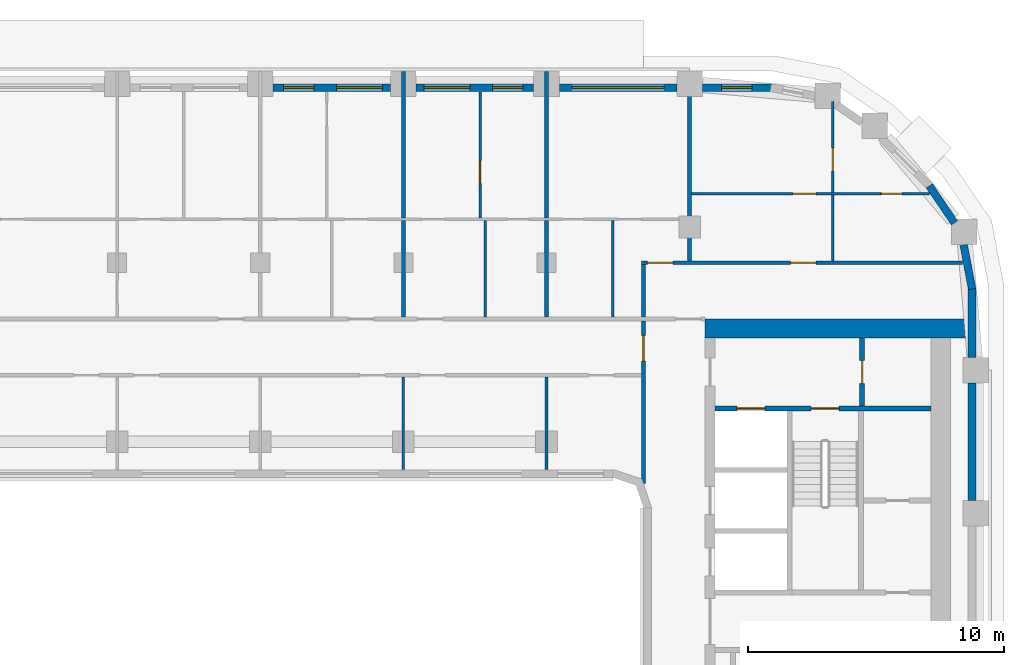
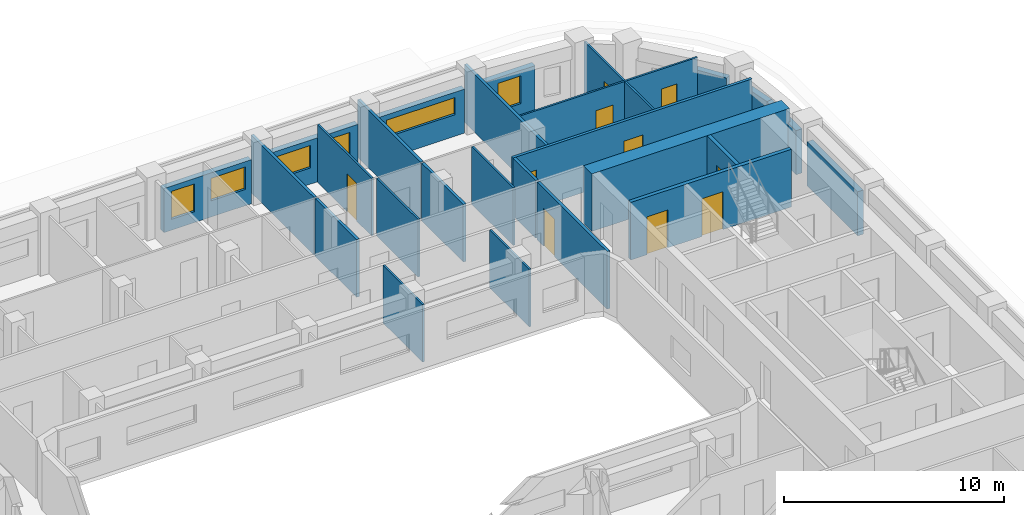
# One storey, part 9 of 22: 27 walls, 10 doors, 6 windows, 16 openings.
"""IFC4 building model written with IfcOpenShell, lengths in metres."""

from ifc_helpers import new_model, si_unit, direction, frame, frame_2d, origin, place, context, subcontext, project, spatial, rectangle, extrude, material, layer, layer_set, type_object, element, fill, save


model = new_model("IFC4")

# Units and contexts
model_context = context("Model", 3, precision=1e-05, world=origin(), true_north=direction((0.0, 1.0)))
body_context = subcontext(model_context, "Body", "Model", "MODEL_VIEW")
ifc_project = project(units=[si_unit("LENGTHUNIT", "METRE"), si_unit("AREAUNIT", "SQUARE_METRE"), si_unit("VOLUMEUNIT", "CUBIC_METRE"), si_unit("PLANEANGLEUNIT", "RADIAN"), si_unit("MASSUNIT", "GRAM", prefix="KILO")], contexts=[model_context])

# Site, building, storey
site_placement = place(None, origin())
site = spatial("IfcSite", under=ifc_project, at=site_placement, CompositionType="ELEMENT")
building_placement = place(site_placement, origin())
building = spatial("IfcBuilding", under=site, at=building_placement, Name="Kiln Ring Residences", CompositionType="ELEMENT")
storey_placement = place(building_placement, frame((0.0, 0.0, 164.10009765625)))
storey = spatial("IfcBuildingStorey", under=building, at=storey_placement, Name="L42", CompositionType="ELEMENT", Elevation=164.10009765625)

# Wall, opening, door
ifc_material_1 = material(Name="Gypsum board on steel studs", Category="steel")
ifc_layer_1 = layer(ifc_material_1, 0.199951171875)
ifc_layer_set_1 = layer_set([ifc_layer_1], Name="CORE-PARTITION-200")
wall_type_1 = type_object("IfcWallType", Name="CORE-PARTITION-200", PredefinedType="PARTITIONING", material=ifc_layer_set_1)
wall_1_placement = place(storey_placement, frame((23.550048828125, 9.800048828125, 0.0), z_axis=(0.0, 0.0, 1.0), x_axis=(0.0, 1.0, 0.0)))
wall_1 = element("IfcWall", 1, at=wall_1_placement, inside=storey, type_object=wall_type_1, Name="Core partition east L42 4", PredefinedType="PARTITIONING", context=body_context, shape_type="SweptSolid", body=[
    extrude(rectangle(XDim=2.64990234375, YDim=0.199951171875, at=frame_2d((1.324951171875, 0.0))), origin(), (0.0, 0.0, 1.0), 3.199951171875),
])
opening_1_placement = place(wall_1_placement, frame((0.875, 0.0, 0.0)))
opening_1 = element("IfcOpeningElement", 2, at=opening_1_placement, cuts=wall_1, Name="Opening L42-CE09", PredefinedType="OPENING", context=body_context, shape_type="SweptSolid", body=[
    extrude(rectangle(XDim=0.89990234375, YDim=2.10009765625, at=frame_2d((0.449951171875, 1.050048828125))), frame((0.0, 0.10986328125, 0.0), z_axis=(0.0, -1.0, 0.0), x_axis=(1.0, 0.0, 0.0)), (0.0, 0.0, 1.0), 0.219970703125),
])
ifc_material_2 = material(Name="Steel door leaf", Category="steel")
door_type_1 = type_object("IfcDoorType", Name="CORE-DOOR-ROOM", OperationType="SINGLE_SWING_LEFT", PredefinedType="DOOR", material=ifc_material_2)
door_1_placement = place(opening_1_placement, origin())
door_1 = element("IfcDoor", 3, at=door_1_placement, inside=storey, type_object=door_type_1, Name="Fire riser room L42-CE09", OperationType="SINGLE_SWING_RIGHT", OverallHeight=2.10009765625, OverallWidth=0.89990234375, PredefinedType="DOOR", context=body_context, shape_type="SweptSolid", body=[
    extrude(rectangle(XDim=0.89990234375, YDim=2.10009765625, at=frame_2d((0.449951171875, 1.050048828125))), frame((0.0, 0.02490234375, 0.0), z_axis=(0.0, -1.0, 0.0), x_axis=(1.0, 0.0, 0.0)), (0.0, 0.0, 1.0), 0.050048828125),
])
fill(opening_1, door_1)

# Wall, openings, doors
ifc_material_3 = material(Name="Concrete C40/50", Category="concrete")
ifc_layer_2 = layer(ifc_material_3, 0.199951171875)
ifc_layer_set_2 = layer_set([ifc_layer_2], Name="CORE-WALL-RC200")
wall_type_2 = type_object("IfcWallType", Name="CORE-WALL-RC200", PredefinedType="SHEAR", material=ifc_layer_set_2)
wall_2_placement = place(storey_placement, frame((17.800048828125, 9.699951171875, 0.0), z_axis=(0.0, 0.0, 1.0), x_axis=(1.0, 0.0, 0.0)))
wall_2 = element("IfcWall", 4, at=wall_2_placement, inside=storey, type_object=wall_type_2, Name="Core wall east L42 9", PredefinedType="SHEAR", context=body_context, shape_type="SweptSolid", body=[
    extrude(rectangle(XDim=8.449951171875, YDim=0.199951171875, at=frame_2d((4.22509765625, 0.0))), origin(), (0.0, 0.0, 1.0), 3.199951171875),
])
opening_2_placement = place(wall_2_placement, frame((0.85009765625, 0.0, 0.0)))
opening_2 = element("IfcOpeningElement", 5, at=opening_2_placement, cuts=wall_2, Name="Opening L42-CE06", PredefinedType="OPENING", context=body_context, shape_type="SweptSolid", body=[
    extrude(rectangle(XDim=1.10009765625, YDim=2.10009765625, at=frame_2d((0.550048828125, 1.050048828125))), frame((0.0, 0.10986328125, 0.0), z_axis=(0.0, -1.0, 0.0), x_axis=(1.0, 0.0, 0.0)), (0.0, 0.0, 1.0), 0.219970703125),
])
opening_3_placement = place(wall_2_placement, frame((3.75, 0.0, 0.0)))
opening_3 = element("IfcOpeningElement", 6, at=opening_3_placement, cuts=wall_2, Name="Opening L42-CE11", PredefinedType="OPENING", context=body_context, shape_type="SweptSolid", body=[
    extrude(rectangle(XDim=1.10009765625, YDim=2.10009765625, at=frame_2d((0.550048828125, 1.050048828125))), frame((0.0, 0.10986328125, 0.0), z_axis=(0.0, -1.0, 0.0), x_axis=(1.0, 0.0, 0.0)), (0.0, 0.0, 1.0), 0.219970703125),
])
ifc_material_4 = material(Name="Steel door leaf", Category="steel")
door_type_2 = type_object("IfcDoorType", Name="CORE-DOOR-LD", OperationType="DOUBLE_DOOR_SLIDING", PredefinedType="DOOR", material=ifc_material_4)
door_2_placement = place(opening_2_placement, origin())
door_2 = element("IfcDoor", 7, at=door_2_placement, inside=storey, type_object=door_type_2, Name="LD E-FF L42-CE06", OperationType="DOUBLE_DOOR_SLIDING", OverallHeight=2.10009765625, OverallWidth=1.10009765625, PredefinedType="DOOR", context=body_context, shape_type="SweptSolid", body=[
    extrude(rectangle(XDim=1.10009765625, YDim=2.10009765625, at=frame_2d((0.550048828125, 1.050048828125))), frame((0.0, 0.02490234375, 0.0), z_axis=(0.0, -1.0, 0.0), x_axis=(1.0, 0.0, 0.0)), (0.0, 0.0, 1.0), 0.050048828125),
])
fill(opening_2, door_2)
ifc_material_5 = material(Name="Steel door leaf", Category="steel")
door_type_3 = type_object("IfcDoorType", Name="CORE-DOOR-STAIR", OperationType="SINGLE_SWING_LEFT", PredefinedType="DOOR", material=ifc_material_5)
door_3_placement = place(opening_3_placement, origin())
door_3 = element("IfcDoor", 8, at=door_3_placement, inside=storey, type_object=door_type_3, Name="Stair E-STN L42-CE11", OperationType="SINGLE_SWING_RIGHT", OverallHeight=2.10009765625, OverallWidth=1.10009765625, PredefinedType="DOOR", context=body_context, shape_type="SweptSolid", body=[
    extrude(rectangle(XDim=1.10009765625, YDim=2.10009765625, at=frame_2d((0.550048828125, 1.050048828125))), frame((0.0, 0.02490234375, 0.0), z_axis=(0.0, -1.0, 0.0), x_axis=(1.0, 0.0, 0.0)), (0.0, 0.0, 1.0), 0.050048828125),
])
fill(opening_3, door_3)

# Walls
ifc_material_6 = material(Name="Concrete C60/75", Category="concrete")
ifc_layer_3 = layer(ifc_material_6, 0.75)
ifc_layer_set_3 = layer_set([ifc_layer_3], Name="CORE-WALL-RC750")
wall_type_3 = type_object("IfcWallType", Name="CORE-WALL-RC750", PredefinedType="SHEAR", material=ifc_layer_set_3)
wall_3_placement = place(storey_placement, frame((17.39990234375, 12.824951171875, 0.0), z_axis=(0.0, 0.0, 1.0), x_axis=(1.0, 0.0, 0.0)))
element("IfcWall", 9, at=wall_3_placement, inside=storey, type_object=wall_type_3, Name="Core wall east L42 4", PredefinedType="SHEAR", context=body_context, shape_type="SweptSolid", body=[
    extrude(rectangle(XDim=10.400146484375, YDim=0.75, at=frame_2d((5.2001953125, 0.0))), origin(), (0.0, 0.0, 1.0), 3.199951171875),
])
ifc_material_7 = material(Name="Brick masonry, dark clay brick", Category="masonry")
ifc_layer_4 = layer(ifc_material_7, 0.300048828125)
ifc_layer_set_4 = layer_set([ifc_layer_4], Name="EW-300 BRICK WALL")
wall_type_4 = type_object("IfcWallType", Name="EW-300 BRICK WALL", PredefinedType="SOLIDWALL", material=ifc_layer_set_4)
wall_4_placement = place(storey_placement, frame((27.85009765625, 6.10009765625, 0.0), z_axis=(0.0, 0.0, 1.0), x_axis=(0.0, 1.0, 0.0)))
element("IfcWall", 10, at=wall_4_placement, inside=storey, type_object=wall_type_4, Name="Facade wall L42 21", PredefinedType="SOLIDWALL", context=body_context, shape_type="SweptSolid", body=[
    extrude(rectangle(XDim=4.599853515625, YDim=0.300048828125, at=frame_2d((2.2998046875, 0.0))), origin(), (0.0, 0.0, 1.0), 2.449951171875),
])
wall_5_placement = place(storey_placement, frame((27.85009765625, 11.699951171875, 0.0), z_axis=(0.0, 0.0, 1.0), x_axis=(0.0, 1.0, 0.0)))
element("IfcWall", 11, at=wall_5_placement, inside=storey, type_object=wall_type_4, Name="Facade wall L42 22", PredefinedType="SOLIDWALL", context=body_context, shape_type="SweptSolid", body=[
    extrude(rectangle(XDim=2.699951171875, YDim=0.300048828125, at=frame_2d((1.35009765625, 0.0))), origin(), (0.0, 0.0, 1.0), 2.449951171875),
])
for number, where, z_axis, x_axis, name in (
    (12, (27.8525390625, 14.371826171875, 0.0), (0.0, 0.0, 1.0), (-0.187259034321, 0.982310569049, 0.0), "Facade wall L42 23"),
    (13, (27.166015625, 16.96044921875, 0.0), (0.0, 0.0, 1.0), (-0.562089443061, 0.82707645233, 0.0), "Facade wall L42 24"),
):
    element("IfcWall", number, at=place(storey_placement, frame(where, z_axis=z_axis, x_axis=x_axis)), inside=storey, type_object=wall_type_4, Name=name, PredefinedType="SOLIDWALL", context=body_context, shape_type="SweptSolid", body=[
        extrude(rectangle(XDim=1.756103515625, YDim=0.300048828125, at=frame_2d((0.8779296875, 0.0))), origin(), (0.0, 0.0, 1.0), 2.449951171875),
    ])

# Wall, opening, window
wall_6_placement = place(storey_placement, frame((20.0, 22.25, 0.0), z_axis=(0.0, 0.0, 1.0), x_axis=(-1.0, 0.0, 0.0)))
wall_6 = element("IfcWall", 14, at=wall_6_placement, inside=storey, type_object=wall_type_4, Name="Facade wall L42 28", PredefinedType="SOLIDWALL", context=body_context, shape_type="SweptSolid", body=[
    extrude(rectangle(XDim=2.699951171875, YDim=0.300048828125, at=frame_2d((1.35009765625, 0.0))), origin(), (0.0, 0.0, 1.0), 2.449951171875),
])
opening_4_placement = place(wall_6_placement, frame((0.75, 0.0, 0.60009765625)))
opening_4 = element("IfcOpeningElement", 15, at=opening_4_placement, cuts=wall_6, Name="Opening W1", PredefinedType="OPENING", context=body_context, shape_type="SweptSolid", body=[
    extrude(rectangle(XDim=1.199951171875, YDim=1.550048828125, at=frame_2d((0.60009765625, 0.77490234375))), frame((0.0, 0.159912109375, 0.0), z_axis=(0.0, -1.0, 0.0), x_axis=(1.0, 0.0, 0.0)), (0.0, 0.0, 1.0), 0.320068359375),
])
ifc_material_8 = material(Name="Aluminium frame with double glazing", Category="aluminium")
window_type_1 = type_object("IfcWindowType", Name="WINDOW 1200 x 1550", PartitioningType="SINGLE_PANEL", PredefinedType="WINDOW", material=ifc_material_8)
window_1_placement = place(opening_4_placement, origin())
window_1 = element("IfcWindow", 16, at=window_1_placement, inside=storey, type_object=window_type_1, Name="Window L42 18", OverallHeight=1.550048828125, OverallWidth=1.199951171875, PartitioningType="SINGLE_PANEL", PredefinedType="WINDOW", context=body_context, shape_type="SweptSolid", body=[
    extrude(rectangle(XDim=1.199951171875, YDim=1.550048828125, at=frame_2d((0.60009765625, 0.77490234375))), frame((0.0, 0.030029296875, 0.0), z_axis=(0.0, -1.0, 0.0), x_axis=(1.0, 0.0, 0.0)), (0.0, 0.0, 1.0), 0.06005859375),
])
fill(opening_4, window_1)

wall_7_placement = place(storey_placement, frame((16.300048828125, 22.25, 0.0), z_axis=(0.0, 0.0, 1.0), x_axis=(-1.0, 0.0, 0.0)))
wall_7 = element("IfcWall", 17, at=wall_7_placement, inside=storey, type_object=wall_type_4, Name="Facade wall L42 29", PredefinedType="SOLIDWALL", context=body_context, shape_type="SweptSolid", body=[
    extrude(rectangle(XDim=4.60009765625, YDim=0.300048828125, at=frame_2d((2.300048828125, 0.0))), origin(), (0.0, 0.0, 1.0), 2.449951171875),
])
opening_5_placement = place(wall_7_placement, frame((0.5, 0.0, 1.199951171875)))
opening_5 = element("IfcOpeningElement", 18, at=opening_5_placement, cuts=wall_7, Name="Opening W4", PredefinedType="OPENING", context=body_context, shape_type="SweptSolid", body=[
    extrude(rectangle(XDim=3.60009765625, YDim=0.949951171875, at=frame_2d((1.800048828125, 0.47509765625))), frame((0.0, 0.159912109375, 0.0), z_axis=(0.0, -1.0, 0.0), x_axis=(1.0, 0.0, 0.0)), (0.0, 0.0, 1.0), 0.320068359375),
])
ifc_material_9 = material(Name="Aluminium frame with double glazing", Category="aluminium")
window_type_2 = type_object("IfcWindowType", Name="WINDOW 3600 x 950", PartitioningType="SINGLE_PANEL", PredefinedType="WINDOW", material=ifc_material_9)
window_2_placement = place(opening_5_placement, origin())
window_2 = element("IfcWindow", 19, at=window_2_placement, inside=storey, type_object=window_type_2, Name="Window L42 19", OverallHeight=0.949951171875, OverallWidth=3.60009765625, PartitioningType="SINGLE_PANEL", PredefinedType="WINDOW", context=body_context, shape_type="SweptSolid", body=[
    extrude(rectangle(XDim=3.60009765625, YDim=0.949951171875, at=frame_2d((1.800048828125, 0.47509765625))), frame((0.0, 0.030029296875, 0.0), z_axis=(0.0, -1.0, 0.0), x_axis=(1.0, 0.0, 0.0)), (0.0, 0.0, 1.0), 0.06005859375),
])
fill(opening_5, window_2)

# Wall, openings, windows
wall_8_placement = place(storey_placement, frame((10.699951171875, 22.25, 0.0), z_axis=(0.0, 0.0, 1.0), x_axis=(-1.0, 0.0, 0.0)))
wall_8 = element("IfcWall", 20, at=wall_8_placement, inside=storey, type_object=wall_type_4, Name="Facade wall L42 30", PredefinedType="SOLIDWALL", context=body_context, shape_type="SweptSolid", body=[
    extrude(rectangle(XDim=4.599853515625, YDim=0.300048828125, at=frame_2d((2.2998046875, 0.0))), origin(), (0.0, 0.0, 1.0), 2.449951171875),
])
opening_6_placement = place(wall_8_placement, frame((0.41259765625, 0.0, 0.60009765625)))
opening_6 = element("IfcOpeningElement", 21, at=opening_6_placement, cuts=wall_8, Name="Opening W1", PredefinedType="OPENING", context=body_context, shape_type="SweptSolid", body=[
    extrude(rectangle(XDim=1.199951171875, YDim=1.550048828125, at=frame_2d((0.60009765625, 0.77490234375))), frame((0.0, 0.159912109375, 0.0), z_axis=(0.0, -1.0, 0.0), x_axis=(1.0, 0.0, 0.0)), (0.0, 0.0, 1.0), 0.320068359375),
])
opening_7_placement = place(wall_8_placement, frame((2.487548828125, 0.0, 0.89990234375)))
opening_7 = element("IfcOpeningElement", 22, at=opening_7_placement, cuts=wall_8, Name="Opening W2", PredefinedType="OPENING", context=body_context, shape_type="SweptSolid", body=[
    extrude(rectangle(XDim=1.800048828125, YDim=1.25, at=frame_2d((0.89990234375, 0.625))), frame((0.0, 0.159912109375, 0.0), z_axis=(0.0, -1.0, 0.0), x_axis=(1.0, 0.0, 0.0)), (0.0, 0.0, 1.0), 0.320068359375),
])
window_3_placement = place(opening_6_placement, origin())
window_3 = element("IfcWindow", 23, at=window_3_placement, inside=storey, type_object=window_type_1, Name="Window L42 20", OverallHeight=1.550048828125, OverallWidth=1.199951171875, PartitioningType="SINGLE_PANEL", PredefinedType="WINDOW", context=body_context, shape_type="SweptSolid", body=[
    extrude(rectangle(XDim=1.199951171875, YDim=1.550048828125, at=frame_2d((0.60009765625, 0.77490234375))), frame((0.0, 0.030029296875, 0.0), z_axis=(0.0, -1.0, 0.0), x_axis=(1.0, 0.0, 0.0)), (0.0, 0.0, 1.0), 0.06005859375),
])
fill(opening_6, window_3)
ifc_material_10 = material(Name="Aluminium frame with double glazing", Category="aluminium")
window_type_3 = type_object("IfcWindowType", Name="WINDOW 1800 x 1250", PartitioningType="SINGLE_PANEL", PredefinedType="WINDOW", material=ifc_material_10)
window_4_placement = place(opening_7_placement, origin())
window_4 = element("IfcWindow", 24, at=window_4_placement, inside=storey, type_object=window_type_3, Name="Window L42 21", OverallHeight=1.25, OverallWidth=1.800048828125, PartitioningType="SINGLE_PANEL", PredefinedType="WINDOW", context=body_context, shape_type="SweptSolid", body=[
    extrude(rectangle(XDim=1.800048828125, YDim=1.25, at=frame_2d((0.89990234375, 0.625))), frame((0.0, 0.030029296875, 0.0), z_axis=(0.0, -1.0, 0.0), x_axis=(1.0, 0.0, 0.0)), (0.0, 0.0, 1.0), 0.06005859375),
])
fill(opening_7, window_4)

wall_9_placement = place(storey_placement, frame((5.10009765625, 22.25, 0.0), z_axis=(0.0, 0.0, 1.0), x_axis=(-1.0, 0.0, 0.0)))
wall_9 = element("IfcWall", 25, at=wall_9_placement, inside=storey, type_object=wall_type_4, Name="Facade wall L42 31", PredefinedType="SOLIDWALL", context=body_context, shape_type="SweptSolid", body=[
    extrude(rectangle(XDim=4.60009765625, YDim=0.300048828125, at=frame_2d((2.300048828125, 0.0))), origin(), (0.0, 0.0, 1.0), 2.449951171875),
])
opening_8_placement = place(wall_9_placement, frame((0.3125, 0.0, 0.89990234375)))
opening_8 = element("IfcOpeningElement", 26, at=opening_8_placement, cuts=wall_9, Name="Opening W2", PredefinedType="OPENING", context=body_context, shape_type="SweptSolid", body=[
    extrude(rectangle(XDim=1.800048828125, YDim=1.25, at=frame_2d((0.89990234375, 0.625))), frame((0.0, 0.159912109375, 0.0), z_axis=(0.0, -1.0, 0.0), x_axis=(1.0, 0.0, 0.0)), (0.0, 0.0, 1.0), 0.320068359375),
])
opening_9_placement = place(wall_9_placement, frame((2.987548828125, 0.0, 0.60009765625)))
opening_9 = element("IfcOpeningElement", 27, at=opening_9_placement, cuts=wall_9, Name="Opening W1", PredefinedType="OPENING", context=body_context, shape_type="SweptSolid", body=[
    extrude(rectangle(XDim=1.199951171875, YDim=1.550048828125, at=frame_2d((0.60009765625, 0.77490234375))), frame((0.0, 0.159912109375, 0.0), z_axis=(0.0, -1.0, 0.0), x_axis=(1.0, 0.0, 0.0)), (0.0, 0.0, 1.0), 0.320068359375),
])
window_5_placement = place(opening_9_placement, origin())
window_5 = element("IfcWindow", 28, at=window_5_placement, inside=storey, type_object=window_type_1, Name="Window L42 23", OverallHeight=1.550048828125, OverallWidth=1.199951171875, PartitioningType="SINGLE_PANEL", PredefinedType="WINDOW", context=body_context, shape_type="SweptSolid", body=[
    extrude(rectangle(XDim=1.199951171875, YDim=1.550048828125, at=frame_2d((0.60009765625, 0.77490234375))), frame((0.0, 0.030029296875, 0.0), z_axis=(0.0, -1.0, 0.0), x_axis=(1.0, 0.0, 0.0)), (0.0, 0.0, 1.0), 0.06005859375),
])
fill(opening_9, window_5)
window_6_placement = place(opening_8_placement, origin())
window_6 = element("IfcWindow", 29, at=window_6_placement, inside=storey, type_object=window_type_3, Name="Window L42 22", OverallHeight=1.25, OverallWidth=1.800048828125, PartitioningType="SINGLE_PANEL", PredefinedType="WINDOW", context=body_context, shape_type="SweptSolid", body=[
    extrude(rectangle(XDim=1.800048828125, YDim=1.25, at=frame_2d((0.89990234375, 0.625))), frame((0.0, 0.030029296875, 0.0), z_axis=(0.0, -1.0, 0.0), x_axis=(1.0, 0.0, 0.0)), (0.0, 0.0, 1.0), 0.06005859375),
])
fill(opening_8, window_6)

# Wall, openings, doors
ifc_material_11 = material(Name="Gypsum board on steel studs", Category="steel")
ifc_layer_5 = layer(ifc_material_11, 0.10009765625)
ifc_layer_set_5 = layer_set([ifc_layer_5], Name="PARTITION-100")
wall_type_5 = type_object("IfcWallType", Name="PARTITION-100", PredefinedType="PARTITIONING", material=ifc_layer_set_5)
wall_10_placement = place(storey_placement, frame((16.875, 18.10009765625, 0.0), z_axis=(0.0, 0.0, 1.0), x_axis=(1.0, 0.0, 0.0)))
wall_10 = element("IfcWall", 30, at=wall_10_placement, inside=storey, type_object=wall_type_5, Name="Partition 013", PredefinedType="PARTITIONING", context=body_context, shape_type="SweptSolid", body=[
    extrude(rectangle(XDim=9.315185546875, YDim=0.10009765625, at=frame_2d((4.65771484375, 0.0))), origin(), (0.0, 0.0, 1.0), 3.199951171875),
])
opening_10_placement = place(wall_10_placement, frame((7.425048828125, 0.0, 0.0)))
opening_10 = element("IfcOpeningElement", 31, at=opening_10_placement, cuts=wall_10, Name="Opening L42-D034", PredefinedType="OPENING", context=body_context, shape_type="SweptSolid", body=[
    extrude(rectangle(XDim=0.800048828125, YDim=2.10009765625, at=frame_2d((0.39990234375, 1.050048828125))), frame((0.0, 0.06005859375, 0.0), z_axis=(0.0, -1.0, 0.0), x_axis=(1.0, 0.0, 0.0)), (0.0, 0.0, 1.0), 0.1201171875),
])
opening_11_placement = place(wall_10_placement, frame((3.97509765625, 0.0, 0.0)))
opening_11 = element("IfcOpeningElement", 32, at=opening_11_placement, cuts=wall_10, Name="Opening L42-D035", PredefinedType="OPENING", context=body_context, shape_type="SweptSolid", body=[
    extrude(rectangle(XDim=0.89990234375, YDim=2.10009765625, at=frame_2d((0.449951171875, 1.050048828125))), frame((0.0, 0.06005859375, 0.0), z_axis=(0.0, -1.0, 0.0), x_axis=(1.0, 0.0, 0.0)), (0.0, 0.0, 1.0), 0.1201171875),
])
ifc_material_12 = material(Name="Timber door leaf", Category="wood")
door_type_4 = type_object("IfcDoorType", Name="FLAT-DOOR-800-PL", OperationType="SINGLE_SWING_LEFT", PredefinedType="DOOR", material=ifc_material_12)
door_4_placement = place(opening_10_placement, origin())
door_4 = element("IfcDoor", 33, at=door_4_placement, inside=storey, type_object=door_type_4, Name="Door L42-D034", OperationType="SINGLE_SWING_RIGHT", OverallHeight=2.10009765625, OverallWidth=0.800048828125, PredefinedType="DOOR", context=body_context, shape_type="SweptSolid", body=[
    extrude(rectangle(XDim=0.800048828125, YDim=2.10009765625, at=frame_2d((0.39990234375, 1.050048828125))), frame((0.0, 0.02490234375, 0.0), z_axis=(0.0, -1.0, 0.0), x_axis=(1.0, 0.0, 0.0)), (0.0, 0.0, 1.0), 0.050048828125),
])
fill(opening_10, door_4)
ifc_material_13 = material(Name="Timber door leaf", Category="wood")
door_type_5 = type_object("IfcDoorType", Name="FLAT-DOOR-900-PL", OperationType="SINGLE_SWING_LEFT", PredefinedType="DOOR", material=ifc_material_13)
door_5_placement = place(opening_11_placement, origin())
door_5 = element("IfcDoor", 34, at=door_5_placement, inside=storey, type_object=door_type_5, Name="Door L42-D035", OperationType="SINGLE_SWING_LEFT", OverallHeight=2.10009765625, OverallWidth=0.89990234375, PredefinedType="DOOR", context=body_context, shape_type="SweptSolid", body=[
    extrude(rectangle(XDim=0.89990234375, YDim=2.10009765625, at=frame_2d((0.449951171875, 1.050048828125))), frame((0.0, 0.02490234375, 0.0), z_axis=(0.0, -1.0, 0.0), x_axis=(1.0, 0.0, 0.0)), (0.0, 0.0, 1.0), 0.050048828125),
])
fill(opening_11, door_5)

# Wall
wall_11_placement = place(storey_placement, frame((5.60009765625, 7.320068359375, 0.0), z_axis=(0.0, 0.0, 1.0), x_axis=(0.0, 1.0, 0.0)))
element("IfcWall", 35, at=wall_11_placement, inside=storey, type_object=wall_type_5, Name="Partition 051", PredefinedType="PARTITIONING", context=body_context, shape_type="SweptSolid", body=[
    extrude(rectangle(XDim=3.60498046875, YDim=0.10009765625, at=frame_2d((1.802490234375, 0.0))), origin(), (0.0, 0.0, 1.0), 3.199951171875),
])

# Wall, opening, door
wall_12_placement = place(storey_placement, frame((8.60009765625, 17.14990234375, 0.0), z_axis=(0.0, 0.0, 1.0), x_axis=(0.0, 1.0, 0.0)))
wall_12 = element("IfcWall", 36, at=wall_12_placement, inside=storey, type_object=wall_type_5, Name="Partition 057", PredefinedType="PARTITIONING", context=body_context, shape_type="SweptSolid", body=[
    extrude(rectangle(XDim=4.93017578125, YDim=0.10009765625, at=frame_2d((2.465087890625, 0.0))), origin(), (0.0, 0.0, 1.0), 3.199951171875),
])
opening_12_placement = place(wall_12_placement, frame((1.35009765625, 0.0, 0.0)))
opening_12 = element("IfcOpeningElement", 37, at=opening_12_placement, cuts=wall_12, Name="Opening L42-D029", PredefinedType="OPENING", context=body_context, shape_type="SweptSolid", body=[
    extrude(rectangle(XDim=0.89990234375, YDim=2.10009765625, at=frame_2d((0.449951171875, 1.050048828125))), frame((0.0, 0.06005859375, 0.0), z_axis=(0.0, -1.0, 0.0), x_axis=(1.0, 0.0, 0.0)), (0.0, 0.0, 1.0), 0.1201171875),
])
door_6_placement = place(opening_12_placement, origin())
door_6 = element("IfcDoor", 38, at=door_6_placement, inside=storey, type_object=door_type_5, Name="Door L42-D029", OperationType="SINGLE_SWING_LEFT", OverallHeight=2.10009765625, OverallWidth=0.89990234375, PredefinedType="DOOR", context=body_context, shape_type="SweptSolid", body=[
    extrude(rectangle(XDim=0.89990234375, YDim=2.10009765625, at=frame_2d((0.449951171875, 1.050048828125))), frame((0.0, 0.02490234375, 0.0), z_axis=(0.0, -1.0, 0.0), x_axis=(1.0, 0.0, 0.0)), (0.0, 0.0, 1.0), 0.050048828125),
])
fill(opening_12, door_6)

# Walls
wall_13_placement = place(storey_placement, frame((8.800048828125, 13.27490234375, 0.0), z_axis=(0.0, 0.0, 1.0), x_axis=(0.0, 1.0, 0.0)))
element("IfcWall", 39, at=wall_13_placement, inside=storey, type_object=wall_type_5, Name="Partition 058", PredefinedType="PARTITIONING", context=body_context, shape_type="SweptSolid", body=[
    extrude(rectangle(XDim=3.775146484375, YDim=0.10009765625, at=frame_2d((1.8876953125, 0.0))), origin(), (0.0, 0.0, 1.0), 3.199951171875),
])
wall_14_placement = place(storey_placement, frame((11.199951171875, 7.320068359375, 0.0), z_axis=(0.0, 0.0, 1.0), x_axis=(0.0, 1.0, 0.0)))
element("IfcWall", 40, at=wall_14_placement, inside=storey, type_object=wall_type_5, Name="Partition 062", PredefinedType="PARTITIONING", context=body_context, shape_type="SweptSolid", body=[
    extrude(rectangle(XDim=3.60498046875, YDim=0.10009765625, at=frame_2d((1.802490234375, 0.0))), origin(), (0.0, 0.0, 1.0), 3.199951171875),
])
wall_15_placement = place(storey_placement, frame((13.800048828125, 13.27490234375, 0.0), z_axis=(0.0, 0.0, 1.0), x_axis=(0.0, 1.0, 0.0)))
element("IfcWall", 41, at=wall_15_placement, inside=storey, type_object=wall_type_5, Name="Partition 066", PredefinedType="PARTITIONING", context=body_context, shape_type="SweptSolid", body=[
    extrude(rectangle(XDim=3.775146484375, YDim=0.10009765625, at=frame_2d((1.8876953125, 0.0))), origin(), (0.0, 0.0, 1.0), 3.199951171875),
])
wall_16_placement = place(storey_placement, frame((22.39990234375, 15.47509765625, 0.0), z_axis=(0.0, 0.0, 1.0), x_axis=(0.0, 1.0, 0.0)))
element("IfcWall", 42, at=wall_16_placement, inside=storey, type_object=wall_type_5, Name="Partition 075", PredefinedType="PARTITIONING", context=body_context, shape_type="SweptSolid", body=[
    extrude(rectangle(XDim=2.574951171875, YDim=0.10009765625, at=frame_2d((1.28759765625, 0.0))), origin(), (0.0, 0.0, 1.0), 3.199951171875),
])

# Wall, opening, door
wall_17_placement = place(storey_placement, frame((22.39990234375, 18.14990234375, 0.0), z_axis=(0.0, 0.0, 1.0), x_axis=(0.0, 1.0, 0.0)))
wall_17 = element("IfcWall", 43, at=wall_17_placement, inside=storey, type_object=wall_type_5, Name="Partition 076", PredefinedType="PARTITIONING", context=body_context, shape_type="SweptSolid", body=[
    extrude(rectangle(XDim=3.570068359375, YDim=0.10009765625, at=frame_2d((1.78515625, 0.0))), origin(), (0.0, 0.0, 1.0), 3.199951171875),
])
opening_13_placement = place(wall_17_placement, frame((0.85009765625, 0.0, 0.0)))
opening_13 = element("IfcOpeningElement", 44, at=opening_13_placement, cuts=wall_17, Name="Opening L42-D036", PredefinedType="OPENING", context=body_context, shape_type="SweptSolid", body=[
    extrude(rectangle(XDim=0.89990234375, YDim=2.10009765625, at=frame_2d((0.449951171875, 1.050048828125))), frame((0.0, 0.06005859375, 0.0), z_axis=(0.0, -1.0, 0.0), x_axis=(1.0, 0.0, 0.0)), (0.0, 0.0, 1.0), 0.1201171875),
])
door_7_placement = place(opening_13_placement, origin())
door_7 = element("IfcDoor", 45, at=door_7_placement, inside=storey, type_object=door_type_5, Name="Door L42-D036", OperationType="SINGLE_SWING_LEFT", OverallHeight=2.10009765625, OverallWidth=0.89990234375, PredefinedType="DOOR", context=body_context, shape_type="SweptSolid", body=[
    extrude(rectangle(XDim=0.89990234375, YDim=2.10009765625, at=frame_2d((0.449951171875, 1.050048828125))), frame((0.0, 0.02490234375, 0.0), z_axis=(0.0, -1.0, 0.0), x_axis=(1.0, 0.0, 0.0)), (0.0, 0.0, 1.0), 0.050048828125),
])
fill(opening_13, door_7)

# Wall, openings, doors
ifc_material_14 = material(Name="Brick masonry partition", Category="masonry")
ifc_layer_6 = layer(ifc_material_14, 0.14990234375)
ifc_layer_set_6 = layer_set([ifc_layer_6], Name="PARTITION-150-ei60")
wall_type_6 = type_object("IfcWallType", Name="PARTITION-150-ei60", PredefinedType="PARTITIONING", material=ifc_layer_set_6)
wall_18_placement = place(storey_placement, frame((14.925048828125, 15.39990234375, 0.0), z_axis=(0.0, 0.0, 1.0), x_axis=(1.0, 0.0, 0.0)))
wall_18 = element("IfcWall", 46, at=wall_18_placement, inside=storey, type_object=wall_type_6, Name="Partition 010", PredefinedType="PARTITIONING", context=body_context, shape_type="SweptSolid", body=[
    extrude(rectangle(XDim=12.558837890625, YDim=0.14990234375, at=frame_2d((6.279296875, 0.0))), origin(), (0.0, 0.0, 1.0), 3.199951171875),
])
opening_14_placement = place(wall_18_placement, frame((0.22509765625, 0.0, 0.0)))
opening_14 = element("IfcOpeningElement", 47, at=opening_14_placement, cuts=wall_18, Name="Opening L42-D030", PredefinedType="OPENING", context=body_context, shape_type="SweptSolid", body=[
    extrude(rectangle(XDim=1.0, YDim=2.10009765625, at=frame_2d((0.5, 1.050048828125))), frame((0.0, 0.0849609375, 0.0), z_axis=(0.0, -1.0, 0.0), x_axis=(1.0, 0.0, 0.0)), (0.0, 0.0, 1.0), 0.169921875),
])
opening_15_placement = place(wall_18_placement, frame((5.824951171875, 0.0, 0.0)))
opening_15 = element("IfcOpeningElement", 48, at=opening_15_placement, cuts=wall_18, Name="Opening L42-D033", PredefinedType="OPENING", context=body_context, shape_type="SweptSolid", body=[
    extrude(rectangle(XDim=1.0, YDim=2.10009765625, at=frame_2d((0.5, 1.050048828125))), frame((0.0, 0.0849609375, 0.0), z_axis=(0.0, -1.0, 0.0), x_axis=(1.0, 0.0, 0.0)), (0.0, 0.0, 1.0), 0.169921875),
])
ifc_material_15 = material(Name="Steel faced fire door leaf", Category="steel")
door_type_6 = type_object("IfcDoorType", Name="FLAT-DOOR-1000-FR", OperationType="SINGLE_SWING_LEFT", PredefinedType="DOOR", material=ifc_material_15)
door_8_placement = place(opening_14_placement, origin())
door_8 = element("IfcDoor", 49, at=door_8_placement, inside=storey, type_object=door_type_6, Name="Door L42-D030", OperationType="SINGLE_SWING_RIGHT", OverallHeight=2.10009765625, OverallWidth=1.0, PredefinedType="DOOR", context=body_context, shape_type="SweptSolid", body=[
    extrude(rectangle(XDim=1.0, YDim=2.10009765625, at=frame_2d((0.5, 1.050048828125))), frame((0.0, 0.02490234375, 0.0), z_axis=(0.0, -1.0, 0.0), x_axis=(1.0, 0.0, 0.0)), (0.0, 0.0, 1.0), 0.050048828125),
])
fill(opening_14, door_8)
door_9_placement = place(opening_15_placement, origin())
door_9 = element("IfcDoor", 50, at=door_9_placement, inside=storey, type_object=door_type_6, Name="Door L42-D033", OperationType="SINGLE_SWING_LEFT", OverallHeight=2.10009765625, OverallWidth=1.0, PredefinedType="DOOR", context=body_context, shape_type="SweptSolid", body=[
    extrude(rectangle(XDim=1.0, YDim=2.10009765625, at=frame_2d((0.5, 1.050048828125))), frame((0.0, 0.02490234375, 0.0), z_axis=(0.0, -1.0, 0.0), x_axis=(1.0, 0.0, 0.0)), (0.0, 0.0, 1.0), 0.050048828125),
])
fill(opening_15, door_9)

# Walls
wall_19_placement = place(storey_placement, frame((5.60009765625, 13.27490234375, 0.0), z_axis=(0.0, 0.0, 1.0), x_axis=(0.0, 1.0, 0.0)))
element("IfcWall", 51, at=wall_19_placement, inside=storey, type_object=wall_type_6, Name="Partition 054", PredefinedType="PARTITIONING", context=body_context, shape_type="SweptSolid", body=[
    extrude(rectangle(XDim=3.775146484375, YDim=0.14990234375, at=frame_2d((1.8876953125, 0.0))), origin(), (0.0, 0.0, 1.0), 3.199951171875),
])
wall_20_placement = place(storey_placement, frame((5.60009765625, 17.14990234375, 0.0), z_axis=(0.0, 0.0, 1.0), x_axis=(0.0, 1.0, 0.0)))
element("IfcWall", 52, at=wall_20_placement, inside=storey, type_object=wall_type_6, Name="Partition 055", PredefinedType="PARTITIONING", context=body_context, shape_type="SweptSolid", body=[
    extrude(rectangle(XDim=5.72998046875, YDim=0.14990234375, at=frame_2d((2.864990234375, 0.0))), origin(), (0.0, 0.0, 1.0), 3.199951171875),
])
wall_21_placement = place(storey_placement, frame((11.199951171875, 13.27490234375, 0.0), z_axis=(0.0, 0.0, 1.0), x_axis=(0.0, 1.0, 0.0)))
element("IfcWall", 53, at=wall_21_placement, inside=storey, type_object=wall_type_6, Name="Partition 063", PredefinedType="PARTITIONING", context=body_context, shape_type="SweptSolid", body=[
    extrude(rectangle(XDim=3.775146484375, YDim=0.14990234375, at=frame_2d((1.8876953125, 0.0))), origin(), (0.0, 0.0, 1.0), 3.199951171875),
])
wall_22_placement = place(storey_placement, frame((11.199951171875, 17.14990234375, 0.0), z_axis=(0.0, 0.0, 1.0), x_axis=(0.0, 1.0, 0.0)))
element("IfcWall", 54, at=wall_22_placement, inside=storey, type_object=wall_type_6, Name="Partition 064", PredefinedType="PARTITIONING", context=body_context, shape_type="SweptSolid", body=[
    extrude(rectangle(XDim=5.72998046875, YDim=0.14990234375, at=frame_2d((2.864990234375, 0.0))), origin(), (0.0, 0.0, 1.0), 3.199951171875),
])

# Wall, opening, door
wall_23_placement = place(storey_placement, frame((15.0, 6.768798828125, 0.0), z_axis=(0.0, 0.0, 1.0), x_axis=(0.0, 1.0, 0.0)))
wall_23 = element("IfcWall", 55, at=wall_23_placement, inside=storey, type_object=wall_type_6, Name="Partition 069", PredefinedType="PARTITIONING", context=body_context, shape_type="SweptSolid", body=[
    extrude(rectangle(XDim=6.356201171875, YDim=0.14990234375, at=frame_2d((3.17822265625, 0.0))), origin(), (0.0, 0.0, 1.0), 3.199951171875),
])
opening_16_placement = place(wall_23_placement, frame((4.78125, 0.0, 0.0)))
opening_16 = element("IfcOpeningElement", 56, at=opening_16_placement, cuts=wall_23, Name="Opening L42-D002", PredefinedType="OPENING", context=body_context, shape_type="SweptSolid", body=[
    extrude(rectangle(XDim=1.0, YDim=2.10009765625, at=frame_2d((0.5, 1.050048828125))), frame((0.0, 0.0849609375, 0.0), z_axis=(0.0, -1.0, 0.0), x_axis=(1.0, 0.0, 0.0)), (0.0, 0.0, 1.0), 0.169921875),
])
door_10_placement = place(opening_16_placement, origin())
door_10 = element("IfcDoor", 57, at=door_10_placement, inside=storey, type_object=door_type_6, Name="Door L42-D002", OperationType="SINGLE_SWING_LEFT", OverallHeight=2.10009765625, OverallWidth=1.0, PredefinedType="DOOR", context=body_context, shape_type="SweptSolid", body=[
    extrude(rectangle(XDim=1.0, YDim=2.10009765625, at=frame_2d((0.5, 1.050048828125))), frame((0.0, 0.02490234375, 0.0), z_axis=(0.0, -1.0, 0.0), x_axis=(1.0, 0.0, 0.0)), (0.0, 0.0, 1.0), 0.050048828125),
])
fill(opening_16, door_10)

# Walls
wall_24_placement = place(storey_placement, frame((15.0, 13.27490234375, 0.0), z_axis=(0.0, 0.0, 1.0), x_axis=(0.0, 1.0, 0.0)))
element("IfcWall", 58, at=wall_24_placement, inside=storey, type_object=wall_type_6, Name="Partition 070", PredefinedType="PARTITIONING", context=body_context, shape_type="SweptSolid", body=[
    extrude(rectangle(XDim=2.050048828125, YDim=0.14990234375, at=frame_2d((1.02490234375, 0.0))), origin(), (0.0, 0.0, 1.0), 3.199951171875),
])
wall_25_placement = place(storey_placement, frame((16.800048828125, 15.47509765625, 0.0), z_axis=(0.0, 0.0, 1.0), x_axis=(0.0, 1.0, 0.0)))
element("IfcWall", 59, at=wall_25_placement, inside=storey, type_object=wall_type_6, Name="Partition 072", PredefinedType="PARTITIONING", context=body_context, shape_type="SweptSolid", body=[
    extrude(rectangle(XDim=7.40478515625, YDim=0.14990234375, at=frame_2d((3.702392578125, 0.0))), origin(), (0.0, 0.0, 1.0), 3.199951171875),
])

save(model, "model.ifc")
